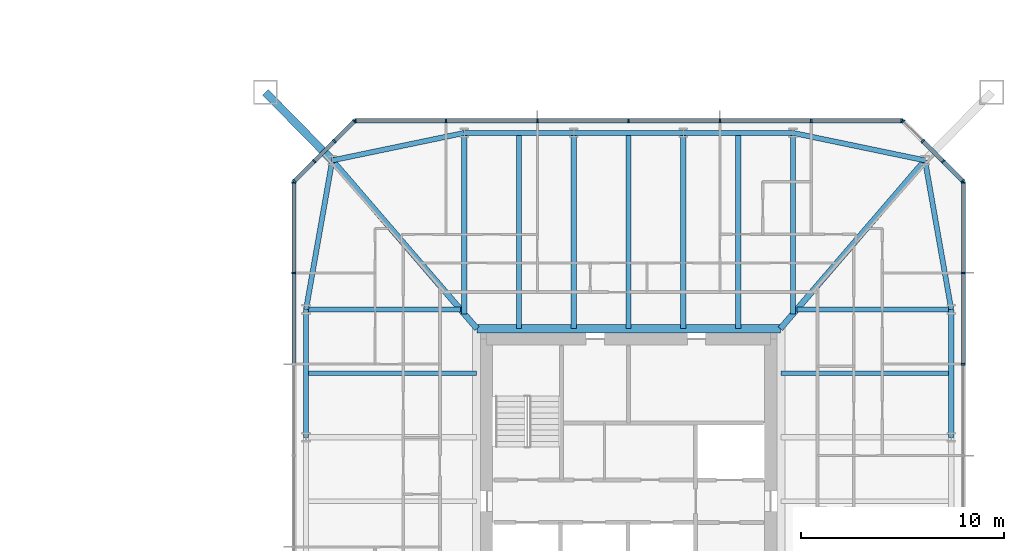
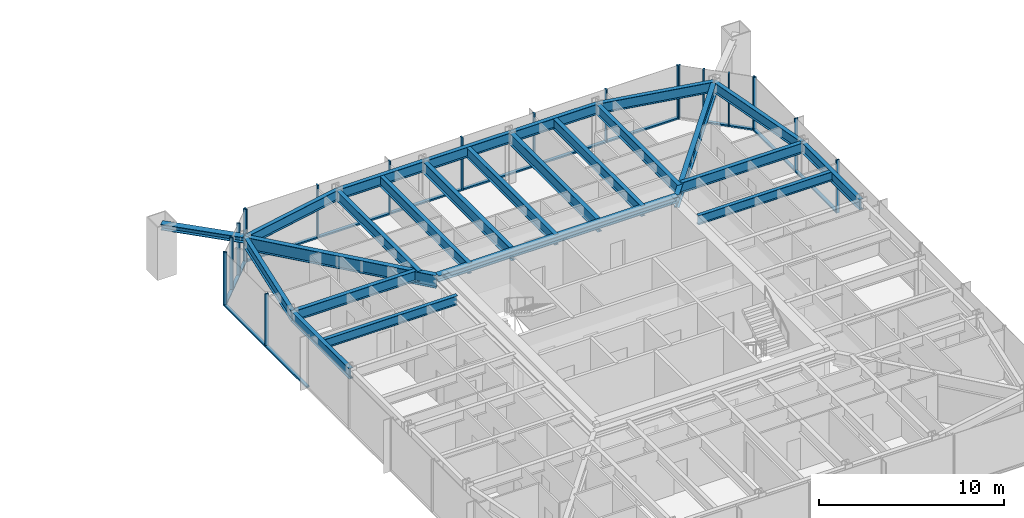
# One storey, part 10 of 26: 36 members, 23 beams, 5 elements without a shape of their own.
"""IFC4 building model written with IfcOpenShell, lengths in metres."""

from ifc_helpers import new_model, si_unit, direction, frame, origin, origin_2d, place, context, subcontext, project, spatial, rectangle, i_section, extrude, material, material_profile, profile_set, type_object, element, aggregate, save


model = new_model("IFC4")

# Units and contexts
model_context = context("Model", 3, precision=1e-05, world=origin(), true_north=direction((0.0, 1.0)))
body_context = subcontext(model_context, "Body", "Model", "MODEL_VIEW")
ifc_project = project(units=[si_unit("LENGTHUNIT", "METRE"), si_unit("AREAUNIT", "SQUARE_METRE"), si_unit("VOLUMEUNIT", "CUBIC_METRE"), si_unit("PLANEANGLEUNIT", "RADIAN"), si_unit("MASSUNIT", "GRAM", prefix="KILO")], contexts=[model_context])

# Site, building, storey
site_placement = place(None, origin())
site = spatial("IfcSite", under=ifc_project, at=site_placement, CompositionType="ELEMENT")
building_placement = place(site_placement, origin())
building = spatial("IfcBuilding", under=site, at=building_placement, Name="Iwan Alto Co-Living Towers", CompositionType="ELEMENT")
storey_placement = place(building_placement, frame((0.0, 0.0, 32.5)))
storey = spatial("IfcBuildingStorey", under=building, at=storey_placement, Name="L08", CompositionType="ELEMENT", Elevation=32.5)

# Curtain wall, members
ifc_material_1 = material(Name="Bronze aluminium unitised frame", Category="aluminium")
curtain_wall_type_1 = type_object("IfcCurtainWallType", Name="CURTAIN WALL CW-C", PredefinedType="NOTDEFINED", material=ifc_material_1)
curtain_wall_1_placement = place(storey_placement, origin())
curtain_wall_1 = element("IfcCurtainWall", 1, at=curtain_wall_1_placement, inside=storey, type_object=curtain_wall_type_1, Name="T2 curtain wall E L08", PredefinedType="NOTDEFINED")
ifc_material_2 = material(Name="Aluminium 6063-T6 bronze anodised", Category="aluminium")
ifc_material_profile_1 = material_profile(ifc_material_2, rectangle(XDim=0.199951171875, YDim=0.080078125, at=origin_2d()), Name="AL 80X200")
ifc_profile_set_1 = profile_set([ifc_material_profile_1], Name="Aluminium 6063-T6 bronze anodised")
member_type_1 = type_object("IfcMemberType", Name="CW-C MULLION 80X200", PredefinedType="MULLION", material=ifc_profile_set_1)
member_1_placement = place(storey_placement, frame((79.5, 6.75, 0.0), z_axis=(0.0, 0.0, 1.0), x_axis=(-1.0, 0.0, 0.0)))
member_1 = element("IfcMember", 2, at=member_1_placement, type_object=member_type_1, Name="CW-C mullion 6", PredefinedType="MULLION", context=body_context, shape_type="SweptSolid", body=[
    extrude(rectangle(XDim=0.199951171875, YDim=0.080078125, at=origin_2d()), origin(), (0.0, 0.0, 1.0), 3.5),
])
member_2_placement = place(storey_placement, frame((79.5, 11.25, 0.0), z_axis=(0.0, 0.0, 1.0), x_axis=(-1.0, 0.0, 0.0)))
member_2 = element("IfcMember", 3, at=member_2_placement, type_object=member_type_1, Name="CW-C mullion 7", PredefinedType="MULLION", context=body_context, shape_type="SweptSolid", body=[
    extrude(rectangle(XDim=0.199951171875, YDim=0.080078125, at=origin_2d()), origin(), (0.0, 0.0, 1.0), 3.5),
])
member_3_placement = place(storey_placement, frame((79.5, 15.7099609375, 0.0), z_axis=(0.0, 0.0, 1.0), x_axis=(-1.0, 0.0, 0.0)))
member_3 = element("IfcMember", 4, at=member_3_placement, type_object=member_type_1, Name="CW-C mullion 8", PredefinedType="MULLION", context=body_context, shape_type="SweptSolid", body=[
    extrude(rectangle(XDim=0.199951171875, YDim=0.080078125, at=origin_2d()), origin(), (0.0, 0.0, 1.0), 3.5),
])

curtain_wall_2_placement = place(storey_placement, origin())
curtain_wall_2 = element("IfcCurtainWall", 5, at=curtain_wall_2_placement, inside=storey, type_object=curtain_wall_type_1, Name="T2 curtain wall N L08", PredefinedType="NOTDEFINED")
member_4_placement = place(storey_placement, frame((76.4599609375, 18.75, 0.0), z_axis=(0.0, 0.0, 1.0), x_axis=(0.0, -1.0, 0.0)))
member_4 = element("IfcMember", 6, at=member_4_placement, type_object=member_type_1, Name="CW-C mullion 1", PredefinedType="MULLION", context=body_context, shape_type="SweptSolid", body=[
    extrude(rectangle(XDim=0.199951171875, YDim=0.080078125, at=origin_2d()), origin(), (0.0, 0.0, 1.0), 3.5),
])
member_5_placement = place(storey_placement, frame((72.0, 18.75, 0.0), z_axis=(0.0, 0.0, 1.0), x_axis=(0.0, -1.0, 0.0)))
member_5 = element("IfcMember", 7, at=member_5_placement, type_object=member_type_1, Name="CW-C mullion 2", PredefinedType="MULLION", context=body_context, shape_type="SweptSolid", body=[
    extrude(rectangle(XDim=0.199951171875, YDim=0.080078125, at=origin_2d()), origin(), (0.0, 0.0, 1.0), 3.5),
])
member_6_placement = place(storey_placement, frame((67.5, 18.75, 0.0), z_axis=(0.0, 0.0, 1.0), x_axis=(0.0, -1.0, 0.0)))
member_6 = element("IfcMember", 8, at=member_6_placement, type_object=member_type_1, Name="CW-C mullion 3", PredefinedType="MULLION", context=body_context, shape_type="SweptSolid", body=[
    extrude(rectangle(XDim=0.199951171875, YDim=0.080078125, at=origin_2d()), origin(), (0.0, 0.0, 1.0), 3.5),
])
member_7_placement = place(storey_placement, frame((63.0, 18.75, 0.0), z_axis=(0.0, 0.0, 1.0), x_axis=(0.0, -1.0, 0.0)))
member_7 = element("IfcMember", 9, at=member_7_placement, type_object=member_type_1, Name="CW-C mullion 4", PredefinedType="MULLION", context=body_context, shape_type="SweptSolid", body=[
    extrude(rectangle(XDim=0.199951171875, YDim=0.080078125, at=origin_2d()), origin(), (0.0, 0.0, 1.0), 3.5),
])
member_8_placement = place(storey_placement, frame((58.5, 18.75, 0.0), z_axis=(0.0, 0.0, 1.0), x_axis=(0.0, -1.0, 0.0)))
member_8 = element("IfcMember", 10, at=member_8_placement, type_object=member_type_1, Name="CW-C mullion 5", PredefinedType="MULLION", context=body_context, shape_type="SweptSolid", body=[
    extrude(rectangle(XDim=0.199951171875, YDim=0.080078125, at=origin_2d()), origin(), (0.0, 0.0, 1.0), 3.5),
])
member_9_placement = place(storey_placement, frame((54.0, 18.75, 0.0), z_axis=(0.0, 0.0, 1.0), x_axis=(0.0, -1.0, 0.0)))
member_9 = element("IfcMember", 11, at=member_9_placement, type_object=member_type_1, Name="CW-C mullion 6", PredefinedType="MULLION", context=body_context, shape_type="SweptSolid", body=[
    extrude(rectangle(XDim=0.199951171875, YDim=0.080078125, at=origin_2d()), origin(), (0.0, 0.0, 1.0), 3.5),
])
member_10_placement = place(storey_placement, frame((49.5400390625, 18.75, 0.0), z_axis=(0.0, 0.0, 1.0), x_axis=(0.0, -1.0, 0.0)))
member_10 = element("IfcMember", 12, at=member_10_placement, type_object=member_type_1, Name="CW-C mullion 7", PredefinedType="MULLION", context=body_context, shape_type="SweptSolid", body=[
    extrude(rectangle(XDim=0.199951171875, YDim=0.080078125, at=origin_2d()), origin(), (0.0, 0.0, 1.0), 3.5),
])

curtain_wall_3_placement = place(storey_placement, origin())
curtain_wall_3 = element("IfcCurtainWall", 13, at=curtain_wall_3_placement, inside=storey, type_object=curtain_wall_type_1, Name="T2 curtain wall W L08", PredefinedType="NOTDEFINED")
member_11_placement = place(storey_placement, frame((46.5, 15.7099609375, 0.0), z_axis=(0.0, 0.0, 1.0), x_axis=(1.0, 0.0, 0.0)))
member_11 = element("IfcMember", 14, at=member_11_placement, type_object=member_type_1, Name="CW-C mullion 1", PredefinedType="MULLION", context=body_context, shape_type="SweptSolid", body=[
    extrude(rectangle(XDim=0.199951171875, YDim=0.080078125, at=origin_2d()), origin(), (0.0, 0.0, 1.0), 3.5),
])
member_12_placement = place(storey_placement, frame((46.5, 11.25, 0.0), z_axis=(0.0, 0.0, 1.0), x_axis=(1.0, 0.0, 0.0)))
member_12 = element("IfcMember", 15, at=member_12_placement, type_object=member_type_1, Name="CW-C mullion 2", PredefinedType="MULLION", context=body_context, shape_type="SweptSolid", body=[
    extrude(rectangle(XDim=0.199951171875, YDim=0.080078125, at=origin_2d()), origin(), (0.0, 0.0, 1.0), 3.5),
])

# Member
ifc_material_3 = material(Name="Aluminium 6063-T6 bronze anodised", Category="aluminium")
ifc_material_profile_2 = material_profile(ifc_material_3, rectangle(XDim=0.199951171875, YDim=0.10009765625, at=origin_2d()), Name="AL 200X100")
ifc_profile_set_2 = profile_set([ifc_material_profile_2], Name="Aluminium 6063-T6 bronze anodised")
member_type_2 = type_object("IfcMemberType", Name="CW-C TRANSOM 200X100", PredefinedType="USERDEFINED", material=ifc_profile_set_2)
member_13_placement = place(storey_placement, frame((79.5, 6.7900390625, 0.050048828125), z_axis=(0.0, 1.0, 0.0), x_axis=(-1.0, 0.0, 0.0)))
member_13 = element("IfcMember", 16, at=member_13_placement, type_object=member_type_2, Name="CW-C transom 6.1", ObjectType="TRANSOM", PredefinedType="USERDEFINED", context=body_context, shape_type="SweptSolid", body=[
    extrude(rectangle(XDim=0.199951171875, YDim=0.10009765625, at=origin_2d()), origin(), (0.0, 0.0, 1.0), 4.419921875),
])

member_14_placement = place(storey_placement, frame((79.5, 11.2900390625, 0.050048828125), z_axis=(0.0, 1.0, 0.0), x_axis=(-1.0, 0.0, 0.0)))
member_14 = element("IfcMember", 17, at=member_14_placement, type_object=member_type_2, Name="CW-C transom 7.1", ObjectType="TRANSOM", PredefinedType="USERDEFINED", context=body_context, shape_type="SweptSolid", body=[
    extrude(rectangle(XDim=0.199951171875, YDim=0.10009765625, at=origin_2d()), origin(), (0.0, 0.0, 1.0), 4.3798828125),
])

aggregate(curtain_wall_1, [member_1, member_2, member_3, member_13, member_14])

member_15_placement = place(storey_placement, frame((76.419921875, 18.75, 0.050048828125), z_axis=(-1.0, 0.0, 0.0), x_axis=(0.0, -1.0, 0.0)))
member_15 = element("IfcMember", 18, at=member_15_placement, type_object=member_type_2, Name="CW-C transom 1.1", ObjectType="TRANSOM", PredefinedType="USERDEFINED", context=body_context, shape_type="SweptSolid", body=[
    extrude(rectangle(XDim=0.199951171875, YDim=0.10009765625, at=origin_2d()), origin(), (0.0, 0.0, 1.0), 4.3798828125),
])

member_16_placement = place(storey_placement, frame((71.9599609375, 18.75, 0.050048828125), z_axis=(-1.0, 0.0, 0.0), x_axis=(0.0, -1.0, 0.0)))
member_16 = element("IfcMember", 19, at=member_16_placement, type_object=member_type_2, Name="CW-C transom 2.1", ObjectType="TRANSOM", PredefinedType="USERDEFINED", context=body_context, shape_type="SweptSolid", body=[
    extrude(rectangle(XDim=0.199951171875, YDim=0.10009765625, at=origin_2d()), origin(), (0.0, 0.0, 1.0), 4.419921875),
])

member_17_placement = place(storey_placement, frame((67.4599609375, 18.75, 0.050048828125), z_axis=(-1.0, 0.0, 0.0), x_axis=(0.0, -1.0, 0.0)))
member_17 = element("IfcMember", 20, at=member_17_placement, type_object=member_type_2, Name="CW-C transom 3.1", ObjectType="TRANSOM", PredefinedType="USERDEFINED", context=body_context, shape_type="SweptSolid", body=[
    extrude(rectangle(XDim=0.199951171875, YDim=0.10009765625, at=origin_2d()), origin(), (0.0, 0.0, 1.0), 4.419921875),
])

member_18_placement = place(storey_placement, frame((62.9599609375, 18.75, 0.050048828125), z_axis=(-1.0, 0.0, 0.0), x_axis=(0.0, -1.0, 0.0)))
member_18 = element("IfcMember", 21, at=member_18_placement, type_object=member_type_2, Name="CW-C transom 4.1", ObjectType="TRANSOM", PredefinedType="USERDEFINED", context=body_context, shape_type="SweptSolid", body=[
    extrude(rectangle(XDim=0.199951171875, YDim=0.10009765625, at=origin_2d()), origin(), (0.0, 0.0, 1.0), 4.419921875),
])

member_19_placement = place(storey_placement, frame((58.4599609375, 18.75, 0.050048828125), z_axis=(-1.0, 0.0, 0.0), x_axis=(0.0, -1.0, 0.0)))
member_19 = element("IfcMember", 22, at=member_19_placement, type_object=member_type_2, Name="CW-C transom 5.1", ObjectType="TRANSOM", PredefinedType="USERDEFINED", context=body_context, shape_type="SweptSolid", body=[
    extrude(rectangle(XDim=0.199951171875, YDim=0.10009765625, at=origin_2d()), origin(), (0.0, 0.0, 1.0), 4.419921875),
])

member_20_placement = place(storey_placement, frame((53.9599609375, 18.75, 0.050048828125), z_axis=(-1.0, 0.0, 0.0), x_axis=(0.0, -1.0, 0.0)))
member_20 = element("IfcMember", 23, at=member_20_placement, type_object=member_type_2, Name="CW-C transom 6.1", ObjectType="TRANSOM", PredefinedType="USERDEFINED", context=body_context, shape_type="SweptSolid", body=[
    extrude(rectangle(XDim=0.199951171875, YDim=0.10009765625, at=origin_2d()), origin(), (0.0, 0.0, 1.0), 4.3798828125),
])

aggregate(curtain_wall_2, [member_4, member_5, member_6, member_7, member_8, member_9, member_10, member_15, member_16, member_17, member_18, member_19, member_20])

member_21_placement = place(storey_placement, frame((46.5, 15.669921875, 0.050048828125), z_axis=(0.0, -1.0, 0.0), x_axis=(1.0, 0.0, 0.0)))
member_21 = element("IfcMember", 24, at=member_21_placement, type_object=member_type_2, Name="CW-C transom 1.1", ObjectType="TRANSOM", PredefinedType="USERDEFINED", context=body_context, shape_type="SweptSolid", body=[
    extrude(rectangle(XDim=0.199951171875, YDim=0.10009765625, at=origin_2d()), origin(), (0.0, 0.0, 1.0), 4.3798828125),
])

member_22_placement = place(storey_placement, frame((46.5, 11.2099609375, 0.050048828125), z_axis=(0.0, -1.0, 0.0), x_axis=(1.0, 0.0, 0.0)))
member_22 = element("IfcMember", 25, at=member_22_placement, type_object=member_type_2, Name="CW-C transom 2.1", ObjectType="TRANSOM", PredefinedType="USERDEFINED", context=body_context, shape_type="SweptSolid", body=[
    extrude(rectangle(XDim=0.199951171875, YDim=0.10009765625, at=origin_2d()), origin(), (0.0, 0.0, 1.0), 4.419921875),
])

aggregate(curtain_wall_3, [member_11, member_12, member_21, member_22])

# Curtain wall, members
ifc_material_4 = material(Name="Bronze aluminium unitised frame", Category="aluminium")
curtain_wall_type_2 = type_object("IfcCurtainWallType", Name="CURTAIN WALL CW-D", PredefinedType="NOTDEFINED", material=ifc_material_4)
curtain_wall_4_placement = place(storey_placement, origin())
curtain_wall_4 = element("IfcCurtainWall", 26, at=curtain_wall_4_placement, inside=storey, type_object=curtain_wall_type_2, Name="T2 chamfer curtain wall NE L08", PredefinedType="NOTDEFINED")
ifc_material_5 = material(Name="Aluminium 6063-T6 bronze anodised", Category="aluminium")
ifc_material_profile_3 = material_profile(ifc_material_5, rectangle(XDim=0.199951171875, YDim=0.080078125, at=origin_2d()), Name="AL 80X200")
ifc_profile_set_3 = profile_set([ifc_material_profile_3], Name="Aluminium 6063-T6 bronze anodised")
member_type_3 = type_object("IfcMemberType", Name="CW-D MULLION 80X200", PredefinedType="MULLION", material=ifc_profile_set_3)
member_23_placement = place(storey_placement, frame((79.4716796875, 15.7783203125, 0.0), z_axis=(0.0, 0.0, 1.0), x_axis=(-0.707106781187, -0.707106781187, 0.0)))
member_23 = element("IfcMember", 27, at=member_23_placement, type_object=member_type_3, Name="CW-D mullion 1", PredefinedType="MULLION", context=body_context, shape_type="SweptSolid", body=[
    extrude(rectangle(XDim=0.199951171875, YDim=0.080078125, at=origin_2d()), origin(), (0.0, 0.0, 1.0), 3.5),
])
member_24_placement = place(storey_placement, frame((78.5, 16.75, 0.0), z_axis=(0.0, 0.0, 1.0), x_axis=(-0.707106781187, -0.707106781187, 0.0)))
member_24 = element("IfcMember", 28, at=member_24_placement, type_object=member_type_3, Name="CW-D mullion 2", PredefinedType="MULLION", context=body_context, shape_type="SweptSolid", body=[
    extrude(rectangle(XDim=0.199951171875, YDim=0.080078125, at=origin_2d()), origin(), (0.0, 0.0, 1.0), 3.5),
])
member_25_placement = place(storey_placement, frame((77.5, 17.75, 0.0), z_axis=(0.0, 0.0, 1.0), x_axis=(-0.707106781187, -0.707106781187, 0.0)))
member_25 = element("IfcMember", 29, at=member_25_placement, type_object=member_type_3, Name="CW-D mullion 3", PredefinedType="MULLION", context=body_context, shape_type="SweptSolid", body=[
    extrude(rectangle(XDim=0.199951171875, YDim=0.080078125, at=origin_2d()), origin(), (0.0, 0.0, 1.0), 3.5),
])
member_26_placement = place(storey_placement, frame((76.5283203125, 18.7216796875, 0.0), z_axis=(0.0, 0.0, 1.0), x_axis=(-0.707106781187, -0.707106781187, 0.0)))
member_26 = element("IfcMember", 30, at=member_26_placement, type_object=member_type_3, Name="CW-D mullion 4", PredefinedType="MULLION", context=body_context, shape_type="SweptSolid", body=[
    extrude(rectangle(XDim=0.199951171875, YDim=0.080078125, at=origin_2d()), origin(), (0.0, 0.0, 1.0), 3.5),
])

curtain_wall_5_placement = place(storey_placement, origin())
curtain_wall_5 = element("IfcCurtainWall", 31, at=curtain_wall_5_placement, inside=storey, type_object=curtain_wall_type_2, Name="T2 chamfer curtain wall NW L08", PredefinedType="NOTDEFINED")
member_27_placement = place(storey_placement, frame((49.4716796875, 18.7216796875, 0.0), z_axis=(0.0, 0.0, 1.0), x_axis=(0.707106781187, -0.707106781187, 0.0)))
member_27 = element("IfcMember", 32, at=member_27_placement, type_object=member_type_3, Name="CW-D mullion 1", PredefinedType="MULLION", context=body_context, shape_type="SweptSolid", body=[
    extrude(rectangle(XDim=0.199951171875, YDim=0.080078125, at=origin_2d()), origin(), (0.0, 0.0, 1.0), 3.5),
])
member_28_placement = place(storey_placement, frame((48.5, 17.75, 0.0), z_axis=(0.0, 0.0, 1.0), x_axis=(0.707106781187, -0.707106781187, 0.0)))
member_28 = element("IfcMember", 33, at=member_28_placement, type_object=member_type_3, Name="CW-D mullion 2", PredefinedType="MULLION", context=body_context, shape_type="SweptSolid", body=[
    extrude(rectangle(XDim=0.199951171875, YDim=0.080078125, at=origin_2d()), origin(), (0.0, 0.0, 1.0), 3.5),
])
member_29_placement = place(storey_placement, frame((47.5, 16.75, 0.0), z_axis=(0.0, 0.0, 1.0), x_axis=(0.707106781187, -0.707106781187, 0.0)))
member_29 = element("IfcMember", 34, at=member_29_placement, type_object=member_type_3, Name="CW-D mullion 3", PredefinedType="MULLION", context=body_context, shape_type="SweptSolid", body=[
    extrude(rectangle(XDim=0.199951171875, YDim=0.080078125, at=origin_2d()), origin(), (0.0, 0.0, 1.0), 3.5),
])
member_30_placement = place(storey_placement, frame((46.5283203125, 15.7783203125, 0.0), z_axis=(0.0, 0.0, 1.0), x_axis=(0.707106781187, -0.707106781187, 0.0)))
member_30 = element("IfcMember", 35, at=member_30_placement, type_object=member_type_3, Name="CW-D mullion 4", PredefinedType="MULLION", context=body_context, shape_type="SweptSolid", body=[
    extrude(rectangle(XDim=0.199951171875, YDim=0.080078125, at=origin_2d()), origin(), (0.0, 0.0, 1.0), 3.5),
])

# Member
ifc_material_6 = material(Name="Aluminium 6063-T6 bronze anodised", Category="aluminium")
ifc_material_profile_4 = material_profile(ifc_material_6, rectangle(XDim=0.199951171875, YDim=0.10009765625, at=origin_2d()), Name="AL 200X100")
ifc_profile_set_4 = profile_set([ifc_material_profile_4], Name="Aluminium 6063-T6 bronze anodised")
member_type_4 = type_object("IfcMemberType", Name="CW-D TRANSOM 200X100", PredefinedType="USERDEFINED", material=ifc_profile_set_4)
member_31_placement = place(storey_placement, frame((79.443359375, 15.806640625, 0.050048828125), z_axis=(-0.707106781187, 0.707106781187, 0.0), x_axis=(-0.707106781187, -0.707106781187, 0.0)))
member_31 = element("IfcMember", 36, at=member_31_placement, type_object=member_type_4, Name="CW-D transom 1.1", ObjectType="TRANSOM", PredefinedType="USERDEFINED", context=body_context, shape_type="SweptSolid", body=[
    extrude(rectangle(XDim=0.199951171875, YDim=0.10009765625, at=origin_2d()), origin(), (0.0, 0.0, 1.0), 1.2939453125),
])

member_32_placement = place(storey_placement, frame((78.4716796875, 16.7783203125, 0.050048828125), z_axis=(-0.707106781187, 0.707106781187, 0.0), x_axis=(-0.707106781187, -0.707106781187, 0.0)))
member_32 = element("IfcMember", 37, at=member_32_placement, type_object=member_type_4, Name="CW-D transom 2.1", ObjectType="TRANSOM", PredefinedType="USERDEFINED", context=body_context, shape_type="SweptSolid", body=[
    extrude(rectangle(XDim=0.199951171875, YDim=0.10009765625, at=origin_2d()), origin(), (0.0, 0.0, 1.0), 1.334228515625),
])

aggregate(curtain_wall_4, [member_23, member_24, member_25, member_26, member_31, member_32])

member_33_placement = place(storey_placement, frame((49.443359375, 18.693359375, 0.050048828125), z_axis=(-0.707106781187, -0.707106781187, 0.0), x_axis=(0.707106781187, -0.707106781187, 0.0)))
member_33 = element("IfcMember", 38, at=member_33_placement, type_object=member_type_4, Name="CW-D transom 1.1", ObjectType="TRANSOM", PredefinedType="USERDEFINED", context=body_context, shape_type="SweptSolid", body=[
    extrude(rectangle(XDim=0.199951171875, YDim=0.10009765625, at=origin_2d()), origin(), (0.0, 0.0, 1.0), 1.2939453125),
])

member_34_placement = place(storey_placement, frame((48.4716796875, 17.7216796875, 0.050048828125), z_axis=(-0.707106781187, -0.707106781187, 0.0), x_axis=(0.707106781187, -0.707106781187, 0.0)))
member_34 = element("IfcMember", 39, at=member_34_placement, type_object=member_type_4, Name="CW-D transom 2.1", ObjectType="TRANSOM", PredefinedType="USERDEFINED", context=body_context, shape_type="SweptSolid", body=[
    extrude(rectangle(XDim=0.199951171875, YDim=0.10009765625, at=origin_2d()), origin(), (0.0, 0.0, 1.0), 1.334228515625),
])

member_35_placement = place(storey_placement, frame((47.4716796875, 16.7216796875, 0.050048828125), z_axis=(-0.707106781187, -0.707106781187, 0.0), x_axis=(0.707106781187, -0.707106781187, 0.0)))
member_35 = element("IfcMember", 40, at=member_35_placement, type_object=member_type_4, Name="CW-D transom 3.1", ObjectType="TRANSOM", PredefinedType="USERDEFINED", context=body_context, shape_type="SweptSolid", body=[
    extrude(rectangle(XDim=0.199951171875, YDim=0.10009765625, at=origin_2d()), origin(), (0.0, 0.0, 1.0), 1.2939453125),
])

aggregate(curtain_wall_5, [member_27, member_28, member_29, member_30, member_33, member_34, member_35])

# Beams
ifc_material_7 = material(Name="Steel ASTM A992 Gr 50", Category="steel")
ifc_material_profile_5 = material_profile(ifc_material_7, i_section(OverallWidth=0.40380859375, OverallDepth=0.406494140625, WebThickness=0.027099609375, FlangeThickness=0.043701171875, at=origin_2d()), Name="W14X233")
ifc_profile_set_5 = profile_set([ifc_material_profile_5], Name="Steel ASTM A992 Gr 50")
beam_type_1 = type_object("IfcBeamType", Name="T2 CORE LEDGER BEAM W14X233", PredefinedType="BEAM", material=ifc_profile_set_5)
beam_1_placement = place(storey_placement, frame((70.4736328125, 8.501953125, 3.06689453125), z_axis=(-1.0, 0.0, 0.0), x_axis=(0.0, -1.0, 0.0)))
element("IfcBeam", 41, at=beam_1_placement, inside=storey, type_object=beam_type_1, Name="T2 core ledger beam N L09", PredefinedType="BEAM", context=body_context, shape_type="SweptSolid", body=[
    extrude(i_section(OverallWidth=0.40380859375, OverallDepth=0.406494140625, WebThickness=0.027099609375, FlangeThickness=0.043701171875, at=origin_2d()), origin(), (0.0, 0.0, 1.0), 14.947265625),
])
ifc_material_8 = material(Name="Steel ASTM A992 Gr 50", Category="steel")
ifc_material_profile_6 = material_profile(ifc_material_8, i_section(OverallWidth=0.2919921875, OverallDepth=0.8408203125, WebThickness=0.0146484375, FlangeThickness=0.021728515625, at=origin_2d()), Name="W33X130")
ifc_profile_set_6 = profile_set([ifc_material_profile_6], Name="Steel ASTM A992 Gr 50")
beam_type_2 = type_object("IfcBeamType", Name="T2 CORNER GIRDER W33X130", PredefinedType="BEAM", material=ifc_profile_set_6)
for number, where, z_axis, x_axis, name in (
    (42, (77.606201171875, 16.797119140625, 2.849609375), (-0.651972301827, -0.758242782788, 0.0), (0.758242782788, -0.651972301827, 0.0), "T2 corner girder CNE L09"),
    (43, (48.393798828125, 16.797119140625, 2.849609375), (0.651972301827, -0.758242782788, 0.0), (0.758242782788, 0.651972301827, 0.0), "T2 corner girder CNW L09"),
):
    element("IfcBeam", number, at=place(storey_placement, frame(where, z_axis=z_axis, x_axis=x_axis)), inside=storey, type_object=beam_type_2, Name=name, PredefinedType="BEAM", context=body_context, shape_type="SweptSolid", body=[
        extrude(i_section(OverallWidth=0.2919921875, OverallDepth=0.8408203125, WebThickness=0.0146484375, FlangeThickness=0.021728515625, at=origin_2d()), origin(), (0.0, 0.0, 1.0), 10.93994140625),
    ])
ifc_material_9 = material(Name="Steel ASTM A992 Gr 50", Category="steel")
ifc_material_profile_7 = material_profile(ifc_material_9, i_section(OverallWidth=0.25390625, OverallDepth=0.683349609375, WebThickness=0.012451171875, FlangeThickness=0.018798828125, at=origin_2d()), Name="W27X94")
ifc_profile_set_7 = profile_set([ifc_material_profile_7], Name="Steel ASTM A992 Gr 50")
beam_type_3 = type_object("IfcBeamType", Name="T2 EDGE BEAM W27X94", PredefinedType="BEAM", material=ifc_profile_set_7)
beam_2_placement = place(storey_placement, frame((78.89990234375, 3.14990234375, 2.928466796875), z_axis=(0.0, 1.0, 0.0), x_axis=(-1.0, 0.0, 0.0)))
element("IfcBeam", 44, at=beam_2_placement, inside=storey, type_object=beam_type_3, Name="T2 edge beam E3 L09", PredefinedType="BEAM", context=body_context, shape_type="SweptSolid", body=[
    extrude(i_section(OverallWidth=0.25390625, OverallDepth=0.683349609375, WebThickness=0.012451171875, FlangeThickness=0.018798828125, at=origin_2d()), origin(), (0.0, 0.0, 1.0), 6.300048828125),
])
beam_3_placement = place(storey_placement, frame((78.89990234375, 9.449951171875, 2.928466796875), z_axis=(-0.173413807283, 0.98484905008, 0.0), x_axis=(-0.98484905008, -0.173413807283, 0.0)))
element("IfcBeam", 45, at=beam_3_placement, inside=storey, type_object=beam_type_3, Name="T2 edge beam E4 L09", PredefinedType="BEAM", context=body_context, shape_type="SweptSolid", body=[
    extrude(i_section(OverallWidth=0.25390625, OverallDepth=0.683349609375, WebThickness=0.012451171875, FlangeThickness=0.018798828125, at=origin_2d()), origin(), (0.0, 0.0, 1.0), 7.460205078125),
])
beam_4_placement = place(storey_placement, frame((77.606201171875, 16.797119140625, 2.928466796875), z_axis=(-0.979060119423, 0.203571320564, 0.0), x_axis=(-0.203571320564, -0.979060119423, 0.0)))
element("IfcBeam", 46, at=beam_4_placement, inside=storey, type_object=beam_type_3, Name="T2 edge beam CNE L09", PredefinedType="BEAM", context=body_context, shape_type="SweptSolid", body=[
    extrude(i_section(OverallWidth=0.25390625, OverallDepth=0.683349609375, WebThickness=0.012451171875, FlangeThickness=0.018798828125, at=origin_2d()), origin(), (0.0, 0.0, 1.0), 6.645263671875),
])
beam_5_placement = place(storey_placement, frame((71.10009765625, 18.14990234375, 2.928466796875), z_axis=(-1.0, 0.0, 0.0), x_axis=(0.0, -1.0, 0.0)))
element("IfcBeam", 47, at=beam_5_placement, inside=storey, type_object=beam_type_3, Name="T2 edge beam N1 L09", PredefinedType="BEAM", context=body_context, shape_type="SweptSolid", body=[
    extrude(i_section(OverallWidth=0.25390625, OverallDepth=0.683349609375, WebThickness=0.012451171875, FlangeThickness=0.018798828125, at=origin_2d()), origin(), (0.0, 0.0, 1.0), 5.400146484375),
])
beam_6_placement = place(storey_placement, frame((65.699951171875, 18.14990234375, 2.928466796875), z_axis=(-1.0, 0.0, 0.0), x_axis=(0.0, -1.0, 0.0)))
element("IfcBeam", 48, at=beam_6_placement, inside=storey, type_object=beam_type_3, Name="T2 edge beam N2 L09", PredefinedType="BEAM", context=body_context, shape_type="SweptSolid", body=[
    extrude(i_section(OverallWidth=0.25390625, OverallDepth=0.683349609375, WebThickness=0.012451171875, FlangeThickness=0.018798828125, at=origin_2d()), origin(), (0.0, 0.0, 1.0), 5.39990234375),
])
beam_7_placement = place(storey_placement, frame((60.300048828125, 18.14990234375, 2.928466796875), z_axis=(-1.0, 0.0, 0.0), x_axis=(0.0, -1.0, 0.0)))
element("IfcBeam", 49, at=beam_7_placement, inside=storey, type_object=beam_type_3, Name="T2 edge beam N3 L09", PredefinedType="BEAM", context=body_context, shape_type="SweptSolid", body=[
    extrude(i_section(OverallWidth=0.25390625, OverallDepth=0.683349609375, WebThickness=0.012451171875, FlangeThickness=0.018798828125, at=origin_2d()), origin(), (0.0, 0.0, 1.0), 5.400146484375),
])
beam_8_placement = place(storey_placement, frame((54.89990234375, 18.14990234375, 2.928466796875), z_axis=(-0.979060119423, -0.203571320564, 0.0), x_axis=(0.203571320564, -0.979060119423, 0.0)))
element("IfcBeam", 50, at=beam_8_placement, inside=storey, type_object=beam_type_3, Name="T2 edge beam N4 L09", PredefinedType="BEAM", context=body_context, shape_type="SweptSolid", body=[
    extrude(i_section(OverallWidth=0.25390625, OverallDepth=0.683349609375, WebThickness=0.012451171875, FlangeThickness=0.018798828125, at=origin_2d()), origin(), (0.0, 0.0, 1.0), 6.645263671875),
])
beam_9_placement = place(storey_placement, frame((48.393798828125, 16.797119140625, 2.928466796875), z_axis=(-0.173413807283, -0.98484905008, 0.0), x_axis=(0.98484905008, -0.173413807283, 0.0)))
element("IfcBeam", 51, at=beam_9_placement, inside=storey, type_object=beam_type_3, Name="T2 edge beam CNW L09", PredefinedType="BEAM", context=body_context, shape_type="SweptSolid", body=[
    extrude(i_section(OverallWidth=0.25390625, OverallDepth=0.683349609375, WebThickness=0.012451171875, FlangeThickness=0.018798828125, at=origin_2d()), origin(), (0.0, 0.0, 1.0), 7.460205078125),
])
beam_10_placement = place(storey_placement, frame((47.10009765625, 9.449951171875, 2.928466796875), z_axis=(0.0, -1.0, 0.0), x_axis=(1.0, 0.0, 0.0)))
element("IfcBeam", 52, at=beam_10_placement, inside=storey, type_object=beam_type_3, Name="T2 edge beam W1 L09", PredefinedType="BEAM", context=body_context, shape_type="SweptSolid", body=[
    extrude(i_section(OverallWidth=0.25390625, OverallDepth=0.683349609375, WebThickness=0.012451171875, FlangeThickness=0.018798828125, at=origin_2d()), origin(), (0.0, 0.0, 1.0), 6.300048828125),
])

# Member
ifc_material_10 = material(Name="Steel ASTM A992 Gr 50", Category="steel")
ifc_material_profile_8 = material_profile(ifc_material_10, i_section(OverallWidth=0.393798828125, OverallDepth=0.3759765625, WebThickness=0.017333984375, FlangeThickness=0.027587890625, at=origin_2d()), Name="W14X145")
ifc_profile_set_8 = profile_set([ifc_material_profile_8], Name="Steel ASTM A992 Gr 50")
member_type_5 = type_object("IfcMemberType", Name="T2 MEGA COLUMN FLOOR TIE W14X145", PredefinedType="STRUT", material=ifc_profile_set_8)
member_36_placement = place(storey_placement, frame((45.10009765625, 20.14990234375, 3.08203125), z_axis=(0.700793469544, -0.71336422187, 0.0), x_axis=(0.71336422187, 0.700793469544, 0.0)))
element("IfcMember", 53, at=member_36_placement, inside=storey, type_object=member_type_5, Name="T2 mega column floor tie NW L09", PredefinedType="STRUT", context=body_context, shape_type="SweptSolid", body=[
    extrude(i_section(OverallWidth=0.393798828125, OverallDepth=0.3759765625, WebThickness=0.017333984375, FlangeThickness=0.027587890625, at=origin_2d()), origin(), (0.0, 0.0, 1.0), 4.699951171875),
])

# Beams
ifc_material_11 = material(Name="Steel ASTM A992 Gr 50", Category="steel")
ifc_material_profile_9 = material_profile(ifc_material_11, i_section(OverallWidth=0.25390625, OverallDepth=0.683349609375, WebThickness=0.012451171875, FlangeThickness=0.018798828125, at=origin_2d()), Name="W27X94")
ifc_profile_set_9 = profile_set([ifc_material_profile_9], Name="Steel ASTM A992 Gr 50")
beam_type_4 = type_object("IfcBeamType", Name="T2 RADIAL BEAM W27X94", PredefinedType="BEAM", material=ifc_profile_set_9)
beam_11_placement = place(storey_placement, frame((78.89990234375, 9.449951171875, 2.928466796875), z_axis=(-1.0, 0.0, 0.0), x_axis=(0.0, -1.0, 0.0)))
element("IfcBeam", 54, at=beam_11_placement, inside=storey, type_object=beam_type_4, Name="T2 radial beam E4 L09", PredefinedType="BEAM", context=body_context, shape_type="SweptSolid", body=[
    extrude(i_section(OverallWidth=0.25390625, OverallDepth=0.683349609375, WebThickness=0.012451171875, FlangeThickness=0.018798828125, at=origin_2d()), origin(), (0.0, 0.0, 1.0), 7.611083984375),
])
for number, where, z_axis, x_axis, name in (
    (55, (71.10009765625, 18.14990234375, 2.928466796875), (0.0, -1.0, 0.0), (1.0, 0.0, 0.0), "T2 radial beam N1 L09"),
    (56, (54.89990234375, 18.14990234375, 2.928466796875), (0.0, -1.0, 0.0), (1.0, 0.0, 0.0), "T2 radial beam N4 L09"),
):
    element("IfcBeam", number, at=place(storey_placement, frame(where, z_axis=z_axis, x_axis=x_axis)), inside=storey, type_object=beam_type_4, Name=name, PredefinedType="BEAM", context=body_context, shape_type="SweptSolid", body=[
        extrude(i_section(OverallWidth=0.25390625, OverallDepth=0.683349609375, WebThickness=0.012451171875, FlangeThickness=0.018798828125, at=origin_2d()), origin(), (0.0, 0.0, 1.0), 8.91943359375),
    ])
beam_12_placement = place(storey_placement, frame((47.10009765625, 9.449951171875, 2.928466796875), z_axis=(1.0, 0.0, 0.0), x_axis=(0.0, 1.0, 0.0)))
element("IfcBeam", 57, at=beam_12_placement, inside=storey, type_object=beam_type_4, Name="T2 radial beam W1 L09", PredefinedType="BEAM", context=body_context, shape_type="SweptSolid", body=[
    extrude(i_section(OverallWidth=0.25390625, OverallDepth=0.683349609375, WebThickness=0.012451171875, FlangeThickness=0.018798828125, at=origin_2d()), origin(), (0.0, 0.0, 1.0), 7.611083984375),
])
ifc_material_12 = material(Name="Steel ASTM A992 Gr 50", Category="steel")
ifc_material_profile_10 = material_profile(ifc_material_12, i_section(OverallWidth=0.2666015625, OverallDepth=0.761962890625, WebThickness=0.014404296875, FlangeThickness=0.021484375, at=origin_2d()), Name="W30X116")
ifc_profile_set_10 = profile_set([ifc_material_profile_10], Name="Steel ASTM A992 Gr 50")
beam_type_5 = type_object("IfcBeamType", Name="T2 RADIAL BEAM W30X116", PredefinedType="BEAM", material=ifc_profile_set_10)
for number, where, z_axis, x_axis, name in (
    (58, (65.699951171875, 18.14990234375, 2.888916015625), (0.0, -1.0, 0.0), (1.0, 0.0, 0.0), "T2 radial beam N2 L09"),
    (59, (60.300048828125, 18.14990234375, 2.888916015625), (0.0, -1.0, 0.0), (1.0, 0.0, 0.0), "T2 radial beam N3 L09"),
):
    element("IfcBeam", number, at=place(storey_placement, frame(where, z_axis=z_axis, x_axis=x_axis)), inside=storey, type_object=beam_type_5, Name=name, PredefinedType="BEAM", context=body_context, shape_type="SweptSolid", body=[
        extrude(i_section(OverallWidth=0.2666015625, OverallDepth=0.761962890625, WebThickness=0.014404296875, FlangeThickness=0.021484375, at=origin_2d()), origin(), (0.0, 0.0, 1.0), 9.64794921875),
    ])
ifc_material_13 = material(Name="Steel ASTM A992 Gr 50", Category="steel")
ifc_material_profile_11 = material_profile(ifc_material_13, i_section(OverallWidth=0.228271484375, OverallDepth=0.607177734375, WebThickness=0.01123046875, FlangeThickness=0.017333984375, at=origin_2d()), Name="W24X76")
ifc_profile_set_11 = profile_set([ifc_material_profile_11], Name="Steel ASTM A992 Gr 50")
beam_type_6 = type_object("IfcBeamType", Name="T2 SECONDARY BEAM W24X76", PredefinedType="JOIST", material=ifc_profile_set_11)
for number, where, z_axis, x_axis, name in (
    (60, (78.89990234375, 6.300048828125, 2.966552734375), (-1.0, 0.0, 0.0), (0.0, -1.0, 0.0), "T2 secondary beam E3 L09"),
    (61, (47.10009765625, 6.300048828125, 2.966552734375), (1.0, 0.0, 0.0), (0.0, 1.0, 0.0), "T2 secondary beam W1 L09"),
):
    element("IfcBeam", number, at=place(storey_placement, frame(where, z_axis=z_axis, x_axis=x_axis)), inside=storey, type_object=beam_type_6, Name=name, PredefinedType="JOIST", context=body_context, shape_type="SweptSolid", body=[
        extrude(i_section(OverallWidth=0.228271484375, OverallDepth=0.607177734375, WebThickness=0.01123046875, FlangeThickness=0.017333984375, at=origin_2d()), origin(), (0.0, 0.0, 1.0), 8.39794921875),
    ])
ifc_material_14 = material(Name="Steel ASTM A992 Gr 50", Category="steel")
ifc_material_profile_12 = material_profile(ifc_material_14, i_section(OverallWidth=0.25390625, OverallDepth=0.683349609375, WebThickness=0.012451171875, FlangeThickness=0.018798828125, at=origin_2d()), Name="W27X94")
ifc_profile_set_12 = profile_set([ifc_material_profile_12], Name="Steel ASTM A992 Gr 50")
beam_type_7 = type_object("IfcBeamType", Name="T2 SECONDARY BEAM W27X94", PredefinedType="JOIST", material=ifc_profile_set_12)
for number, where, z_axis, x_axis, name in (
    (62, (68.39990234375, 18.14990234375, 2.928466796875), (0.0, -1.0, 0.0), (1.0, 0.0, 0.0), "T2 secondary beam N1 L09"),
    (63, (63.0, 18.14990234375, 2.928466796875), (0.0, -1.0, 0.0), (1.0, 0.0, 0.0), "T2 secondary beam N2 L09"),
    (64, (57.60009765625, 18.14990234375, 2.928466796875), (0.0, -1.0, 0.0), (1.0, 0.0, 0.0), "T2 secondary beam N3 L09"),
):
    element("IfcBeam", number, at=place(storey_placement, frame(where, z_axis=z_axis, x_axis=x_axis)), inside=storey, type_object=beam_type_7, Name=name, PredefinedType="JOIST", context=body_context, shape_type="SweptSolid", body=[
        extrude(i_section(OverallWidth=0.25390625, OverallDepth=0.683349609375, WebThickness=0.012451171875, FlangeThickness=0.018798828125, at=origin_2d()), origin(), (0.0, 0.0, 1.0), 9.64794921875),
    ])

save(model, "model.ifc")
